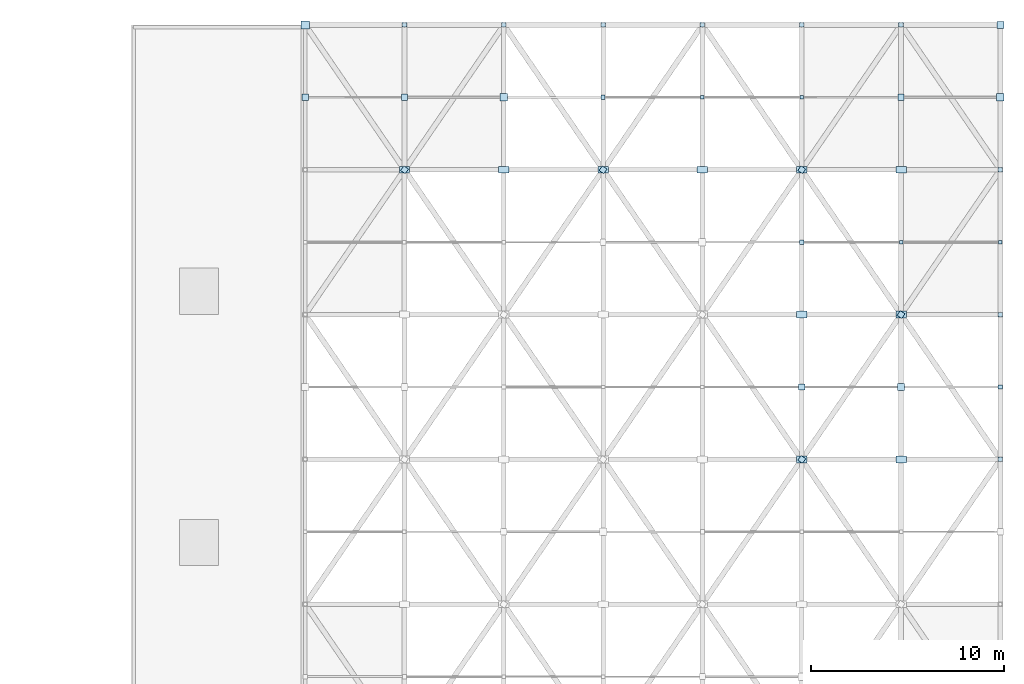
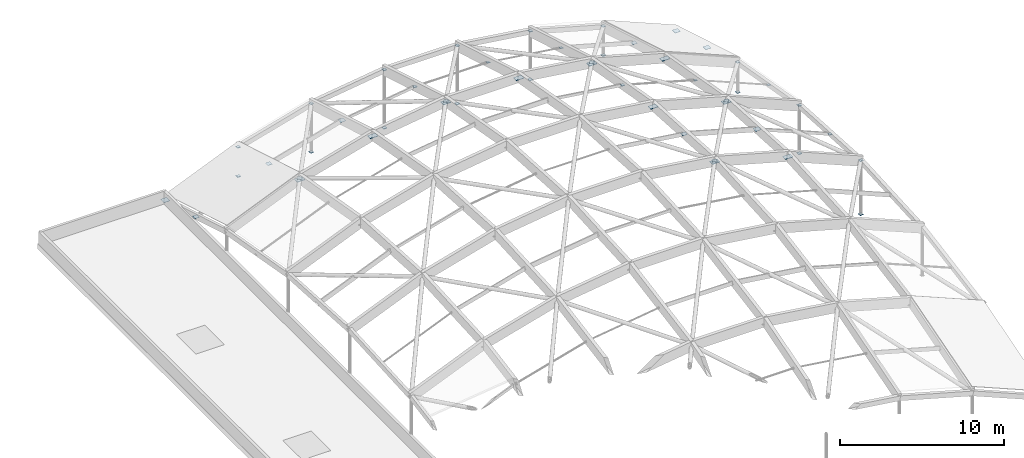
# One storey, part 70 of 81: 49 plates.
"""IFC4 building model written with IfcOpenShell, lengths in metres."""

import ifcopenshell
import ifcopenshell.guid

model = None  # the IFC model being written
_history = None  # IfcOwnerHistory: only IFC2X3 demands one
_inside = {}  # id of a spatial element -> (the spatial element, [elements in it])
_under = {}  # id of a project, library or spatial element -> (it, [spatial elements below it])
_declared = {}  # id of a project -> (the project, [libraries it declares])
_typed = {}  # id of a type object -> (the type object, [elements of that type])
_made_of = {}  # id of a material, layer set ... -> (it, [elements and type objects made of it])


def new_model(schema):
    """Start an empty IFC model of exactly this schema.

    Asked for "IFC4X3", IfcOpenShell would pick the latest addendum, in which some entities
    have other attributes; the version numbers below select the first issue.
    IFC2X3 requires an IfcOwnerHistory on every rooted entity: one is made here for all.
    """
    global model, _history
    if schema == "IFC4X3":
        model = ifcopenshell.file(schema_version=(4, 3, 0, 0))
    else:
        model = ifcopenshell.file(schema=schema)
    _inside.clear()
    _under.clear()
    _declared.clear()
    _typed.clear()
    _made_of.clear()
    _history = None
    if model.schema == "IFC2X3":
        org = make("IfcOrganization", Name="unknown")
        user = make(
            "IfcPersonAndOrganization",
            ThePerson=make("IfcPerson", FamilyName="unknown"),
            TheOrganization=org,
        )
        app = make(
            "IfcApplication",
            ApplicationDeveloper=org,
            Version="unknown",
            ApplicationFullName="unknown",
            ApplicationIdentifier="unknown",
        )
        _history = make(
            "IfcOwnerHistory",
            OwningUser=user,
            OwningApplication=app,
            ChangeAction="ADDED",
            CreationDate=0,
        )
    return model


def make(cls, **values):
    """One entity of the class cls with the attributes given. An attribute that is None is left unset."""
    return model.create_entity(
        cls, **{name: value for name, value in values.items() if value is not None}
    )


def rooted(cls, **values):
    """An entity with a GlobalId (a new one), such as an element, a storey or a relation."""
    return make(cls, GlobalId=ifcopenshell.guid.new(), OwnerHistory=_history, **values)


def si_unit(unit_type, name, prefix=None):
    """IfcSIUnit, for example si_unit("LENGTHUNIT", "METRE", prefix="MILLI")."""
    return make("IfcSIUnit", UnitType=unit_type, Prefix=prefix, Name=name)


def assignment(units):
    """IfcUnitAssignment: the units of a project."""
    return None if units is None else make("IfcUnitAssignment", Units=units)


def point(xyz):
    """IfcCartesianPoint."""
    return None if xyz is None else make("IfcCartesianPoint", Coordinates=xyz)


def direction(xyz):
    """IfcDirection."""
    return None if xyz is None else make("IfcDirection", DirectionRatios=xyz)


def frame(location, z_axis=None, x_axis=None):
    """IfcAxis2Placement3D, a coordinate frame: its origin and axes. An axis left out is left unset."""
    return make(
        "IfcAxis2Placement3D",
        Location=point(location),
        Axis=direction(z_axis),
        RefDirection=direction(x_axis),
    )


def frame_2d(location, x_axis=None):
    """IfcAxis2Placement2D, a coordinate frame in the plane: its origin and x axis."""
    return make(
        "IfcAxis2Placement2D", Location=point(location), RefDirection=direction(x_axis)
    )


def origin():
    """The frame at (0, 0, 0) with its axes left unset."""
    return frame((0.0, 0.0, 0.0))


def origin_2d():
    """The frame at (0, 0) in the plane with its x axis left unset."""
    return frame_2d((0.0, 0.0))


def place(relative_to, where):
    """IfcLocalPlacement: puts the frame where relative to a parent placement (None: the world)."""
    return make(
        "IfcLocalPlacement", PlacementRelTo=relative_to, RelativePlacement=where
    )


def context(
    kind, dimensions, precision=None, world=None, true_north=None, identifier=None
):
    """IfcGeometricRepresentationContext, for example the 3D "Model" context."""
    return make(
        "IfcGeometricRepresentationContext",
        ContextIdentifier=identifier,
        ContextType=kind,
        CoordinateSpaceDimension=dimensions,
        Precision=precision,
        WorldCoordinateSystem=world,
        TrueNorth=true_north,
    )


def subcontext(parent, identifier, kind, view, scale=None):
    """IfcGeometricRepresentationSubContext, for example "Body" below "Model"."""
    return make(
        "IfcGeometricRepresentationSubContext",
        ContextIdentifier=identifier,
        ContextType=kind,
        ParentContext=parent,
        TargetScale=scale,
        TargetView=view,
    )


def project(units=None, contexts=None):
    """IfcProject with its units and contexts."""
    return rooted(
        "IfcProject",
        Name="project",
        RepresentationContexts=contexts,
        UnitsInContext=assignment(units),
    )


def spatial(cls, under=None, at=None, **own):
    """A site, building, storey or space (cls), placed at a placement, below another one or the project."""
    s = rooted(cls, ObjectPlacement=at, **own)
    if under is not None:
        _under.setdefault(under.id(), (under, []))[1].append(s)
    return s


def profile(cls, at=None, kind="AREA", **sizes):
    """A parametric profile (cls). Its sizes go by their IFC names, for example OverallWidth=200.0."""
    return make(cls, ProfileType=kind, Position=at, **sizes)


def rectangle(**sizes):
    """IfcRectangleProfileDef."""
    return profile("IfcRectangleProfileDef", **sizes)


def extrude(swept, where, along, depth):
    """IfcExtrudedAreaSolid: the profile swept, set in the frame where, extruded along a direction by depth."""
    return make(
        "IfcExtrudedAreaSolid",
        SweptArea=swept,
        Position=where,
        ExtrudedDirection=direction(along),
        Depth=depth,
    )


def shape(context_of_items, identifier, shape_type, items):
    """IfcShapeRepresentation: the items that make up one representation, for example the "Body"."""
    return make(
        "IfcShapeRepresentation",
        ContextOfItems=context_of_items,
        RepresentationIdentifier=identifier,
        RepresentationType=shape_type,
        Items=items,
    )


def material(Name=None, Category=None):
    """IfcMaterial."""
    return make("IfcMaterial", Name=Name, Category=Category)


def layer(
    of_material, thickness, ventilated=None, Name=None, Category=None, Priority=None
):
    """IfcMaterialLayer: one layer of a wall or slab, of a material (None: an air gap)."""
    return make(
        "IfcMaterialLayer",
        Material=of_material,
        LayerThickness=thickness,
        IsVentilated=ventilated,
        Name=Name,
        Category=Category,
        Priority=Priority,
    )


def layer_set(layers, Name=None):
    """IfcMaterialLayerSet."""
    return make("IfcMaterialLayerSet", MaterialLayers=layers, LayerSetName=Name)


def made_of(thing, what):
    """Note that an element or type object is made of a material, layer set ...; save() writes the relation."""
    if what is not None:
        _made_of.setdefault(what.id(), (what, []))[1].append(thing)
    return thing


def type_object(cls, material=None, **own):
    """A type object (cls), such as IfcWallType, which elements share."""
    return made_of(rooted(cls, **own), material)


def element(
    cls,
    number,
    at=None,
    inside=None,
    cuts=None,
    type_object=None,
    material=None,
    context=None,
    identifier="Body",
    shape_type=None,
    held_by="IfcProductDefinitionShape",
    body=None,
    shapes=None,
    **own,
):
    """One element of the class cls, such as IfcWall. Its Tag is "e" and its number.

    at: its placement. inside: the storey or other place that contains it. cuts: it is an
    opening in that element (IfcRelVoidsElement). A single representation is given by context,
    identifier, shape_type and body (its items); several are given by shapes. held_by: the class
    of the entity that holds the representations. save() writes the other relations.
    """
    e = rooted(cls, Tag="e%d" % number, ObjectPlacement=at, **own)
    if body is not None:
        shapes = [shape(context, identifier, shape_type, body)]
    if shapes is not None:
        e.Representation = make(held_by, Representations=shapes)
    if inside is not None:
        _inside.setdefault(inside.id(), (inside, []))[1].append(e)
    if cuts is not None:
        rooted(
            "IfcRelVoidsElement", RelatingBuildingElement=cuts, RelatedOpeningElement=e
        )
    if type_object is not None:
        _typed.setdefault(type_object.id(), (type_object, []))[1].append(e)
    return made_of(e, material)


def aggregate(whole, parts):
    """IfcRelAggregates: a whole, such as a stair, and the parts it consists of."""
    return rooted("IfcRelAggregates", RelatingObject=whole, RelatedObjects=parts)


def save(model, path):
    """Write the relations noted so far, then the file.

    IfcRelAggregates (storeys below a building ...), IfcRelContainedInSpatialStructure (elements
    in a storey), IfcRelDefinesByType, IfcRelAssociatesMaterial and IfcRelDeclares: one each for
    every whole, place, type object, material and project.
    """
    for whole, parts in _under.values():
        aggregate(whole, parts)
    for where, things in _inside.values():
        rooted(
            "IfcRelContainedInSpatialStructure",
            RelatedElements=things,
            RelatingStructure=where,
        )
    for kind, things in _typed.values():
        rooted("IfcRelDefinesByType", RelatedObjects=things, RelatingType=kind)
    for what, things in _made_of.values():
        rooted("IfcRelAssociatesMaterial", RelatedObjects=things, RelatingMaterial=what)
    for by, libraries in _declared.values():
        rooted("IfcRelDeclares", RelatingContext=by, RelatedDefinitions=libraries)
    model.write(path)


model = new_model("IFC4")

# Units and contexts
model_context = context("Model", 3, precision=1e-05, world=origin(), true_north=direction((0.0, 1.0)))
body_context = subcontext(model_context, "Body", "Model", "MODEL_VIEW")
ifc_project = project(units=[si_unit("LENGTHUNIT", "METRE"), si_unit("AREAUNIT", "SQUARE_METRE"), si_unit("VOLUMEUNIT", "CUBIC_METRE"), si_unit("PLANEANGLEUNIT", "RADIAN"), si_unit("MASSUNIT", "GRAM", prefix="KILO")], contexts=[model_context])

# Site, building, storey
site_placement = place(None, origin())
site = spatial("IfcSite", under=ifc_project, at=site_placement, CompositionType="ELEMENT")
building_placement = place(site_placement, origin())
building = spatial("IfcBuilding", under=site, at=building_placement, Name="Marnridge Secondary College", CompositionType="ELEMENT")
storey_placement = place(building_placement, frame((0.0, 0.0, 8.5)))
storey = spatial("IfcBuildingStorey", under=building, at=storey_placement, Name="L02", CompositionType="ELEMENT", Elevation=8.5)

# Plates
ifc_material_1 = material(Name="Structural steel plate Grade 350 (AS/NZS 3678, fy = 350 MPa <=12mm, 340 MPa 12-20mm, 330 MPa 20-50mm)", Category="steel")
ifc_layer_1 = layer(ifc_material_1, 0.011962890625)
ifc_layer_set_1 = layer_set([ifc_layer_1], Name="PT-CAP-EXT")
plate_type_1 = type_object("IfcPlateType", Name="PT-CAP-EXT", PredefinedType="SHEET", material=ifc_layer_set_1)
for number, where, z_axis, x_axis, name in (
    (1, (140.142822265625, 120.0, 0.0859375), (0.0, 0.0, 1.0), (1.0, 0.0, 0.0), "Tube end cap GSP-0007-EC1"),
    (2, (140.142822265625, 120.0, 2.26708984375), (0.0, 0.0, 1.0), (1.0, 0.0, 0.0), "Tube end cap GSP-0007-EC2"),
    (3, (145.28564453125, 120.0, 0.0859375), (0.0, 0.0, 1.0), (1.0, 0.0, 0.0), "Tube end cap GSP-0009-EC1"),
    (4, (145.28564453125, 120.0, 3.70361328125), (0.0, 0.0, 1.0), (1.0, 0.0, 0.0), "Tube end cap GSP-0009-EC2"),
    (5, (150.4287109375, 120.0, 0.0859375), (0.0, 0.0, 1.0), (1.0, 0.0, 0.0), "Tube end cap GSP-0011-EC1"),
    (6, (150.4287109375, 120.0, 4.42236328125), (0.0, 0.0, 1.0), (1.0, 0.0, 0.0), "Tube end cap GSP-0011-EC2"),
    (7, (155.5712890625, 120.0, 0.0859375), (0.0, 0.0, 1.0), (1.0, 0.0, 0.0), "Tube end cap GSP-0013-EC1"),
    (8, (155.5712890625, 120.0, 4.42236328125), (0.0, 0.0, 1.0), (1.0, 0.0, 0.0), "Tube end cap GSP-0013-EC2"),
    (9, (160.71435546875, 120.0, 0.0859375), (0.0, 0.0, 1.0), (1.0, 0.0, 0.0), "Tube end cap GSP-0015-EC1"),
    (10, (160.71435546875, 120.0, 3.70361328125), (0.0, 0.0, 1.0), (1.0, 0.0, 0.0), "Tube end cap GSP-0015-EC2"),
    (11, (165.857177734375, 120.0, 0.0859375), (0.0, 0.0, 1.0), (1.0, 0.0, 0.0), "Tube end cap GSP-0017-EC1"),
    (12, (165.857177734375, 120.0, 2.26708984375), (0.0, 0.0, 1.0), (1.0, 0.0, 0.0), "Tube end cap GSP-0017-EC2"),
    (13, (171.0, 97.5, 0.0859375), (0.0, 0.0, 1.0), (1.0, 0.0, 0.0), "Tube end cap GSP-0020-EC1"),
    (14, (171.0, 97.5, 4.11181640625), (0.0, 0.0, 1.0), (1.0, 0.0, 0.0), "Tube end cap GSP-0020-EC2"),
    (15, (171.0, 105.0, 0.0859375), (0.0, 0.0, 1.0), (1.0, 0.0, 0.0), "Tube end cap GSP-0021-EC1"),
    (16, (171.0, 105.0, 3.66748046875), (0.0, 0.0, 1.0), (1.0, 0.0, 0.0), "Tube end cap GSP-0021-EC2"),
    (17, (171.0, 112.5, 0.0859375), (0.0, 0.0, 1.0), (1.0, 0.0, 0.0), "Tube end cap GSP-0022-EC1"),
    (18, (171.0, 112.5, 2.333984375), (0.0, 0.0, 1.0), (1.0, 0.0, 0.0), "Tube end cap GSP-0022-EC2"),
):
    element("IfcPlate", number, at=place(storey_placement, frame(where, z_axis=z_axis, x_axis=x_axis)), inside=storey, type_object=plate_type_1, Name=name, PredefinedType="SHEET", context=body_context, shape_type="SweptSolid", body=[
        extrude(rectangle(XDim=0.239013671875, YDim=0.239013671875, at=origin_2d()), origin(), (0.0, 0.0, 1.0), 0.011962890625),
    ])
plate_1_placement = place(storey_placement, frame((135.0, 119.998046875, 0.0947265625), z_axis=(0.0, 0.0, 1.0), x_axis=(0.0, 1.0, 0.0)))
element("IfcPlate", 19, at=plate_1_placement, inside=storey, type_object=plate_type_1, Name="Tube end cap GR-0006-EC2", PredefinedType="SHEET", context=body_context, shape_type="SweptSolid", body=[
    extrude(rectangle(XDim=0.419921875, YDim=0.419921875, at=origin_2d()), origin(), (0.0, 0.0, 1.0), 0.011962890625),
])
plate_2_placement = place(storey_placement, frame((171.0, 119.998046875, 0.0947265625), z_axis=(0.0, 0.0, 1.0), x_axis=(0.0, 1.0, 0.0)))
element("IfcPlate", 20, at=plate_2_placement, inside=storey, type_object=plate_type_1, Name="Tube end cap GR-0048-EC2", PredefinedType="SHEET", context=body_context, shape_type="SweptSolid", body=[
    extrude(rectangle(XDim=0.3701171875, YDim=0.3701171875, at=origin_2d()), origin(), (0.0, 0.0, 1.0), 0.011962890625),
])
plate_3_placement = place(storey_placement, frame((140.141845703125, 112.498291015625, 4.47119140625), z_axis=(0.0, 0.0, 1.0), x_axis=(0.565542903589, 0.82471887586, 0.0)))
element("IfcPlate", 21, at=plate_3_placement, inside=storey, type_object=plate_type_1, Name="Tube end cap GR-0102-EC2", PredefinedType="SHEET", context=body_context, shape_type="SweptSolid", body=[
    extrude(rectangle(XDim=0.29296875, YDim=0.29296875, at=origin_2d()), origin(), (0.0, 0.0, 1.0), 0.011962890625),
])
for number, where, z_axis, x_axis, name in (
    (22, (135.001708984375, 116.25, 1.1259765625), (0.0, 0.0, 1.0), (1.0, 0.0, 0.0), "Tube end cap PR-0028-EC1"),
    (23, (140.14111328125, 116.25, 3.279296875), (0.0, 0.0, 1.0), (1.0, 0.0, 0.0), "Tube end cap PR-0028-EC2"),
):
    element("IfcPlate", number, at=place(storey_placement, frame(where, z_axis=z_axis, x_axis=x_axis)), inside=storey, type_object=plate_type_1, Name=name, PredefinedType="SHEET", context=body_context, shape_type="SweptSolid", body=[
        extrude(rectangle(XDim=0.320068359375, YDim=0.320068359375, at=origin_2d()), origin(), (0.0, 0.0, 1.0), 0.011962890625),
    ])
plate_4_placement = place(storey_placement, frame((145.28369140625, 116.25, 4.71630859375), z_axis=(0.0, 0.0, 1.0), x_axis=(1.0, 0.0, 0.0)))
element("IfcPlate", 24, at=plate_4_placement, inside=storey, type_object=plate_type_1, Name="Tube end cap PR-0034-EC2", PredefinedType="SHEET", context=body_context, shape_type="SweptSolid", body=[
    extrude(rectangle(XDim=0.3798828125, YDim=0.3798828125, at=origin_2d()), origin(), (0.0, 0.0, 1.0), 0.011962890625),
])
plate_5_placement = place(storey_placement, frame((150.427490234375, 112.498291015625, 6.62646484375), z_axis=(0.0, 0.0, 1.0), x_axis=(0.565542903589, 0.82471887586, 0.0)))
element("IfcPlate", 25, at=plate_5_placement, inside=storey, type_object=plate_type_1, Name="Tube end cap GR-0114-EC2", PredefinedType="SHEET", context=body_context, shape_type="SweptSolid", body=[
    extrude(rectangle(XDim=0.29296875, YDim=0.29296875, at=origin_2d()), origin(), (0.0, 0.0, 1.0), 0.011962890625),
])
plate_6_placement = place(storey_placement, frame((150.426513671875, 116.25, 5.43505859375), z_axis=(0.0, 0.0, 1.0), x_axis=(1.0, 0.0, 0.0)))
element("IfcPlate", 26, at=plate_6_placement, inside=storey, type_object=plate_type_1, Name="Tube end cap PR-0040-EC2", PredefinedType="SHEET", context=body_context, shape_type="SweptSolid", body=[
    extrude(rectangle(XDim=0.219970703125, YDim=0.219970703125, at=origin_2d()), origin(), (0.0, 0.0, 1.0), 0.011962890625),
])
plate_7_placement = place(storey_placement, frame((155.5693359375, 116.25, 5.435546875), z_axis=(0.0, 0.0, 1.0), x_axis=(1.0, 0.0, 0.0)))
element("IfcPlate", 27, at=plate_7_placement, inside=storey, type_object=plate_type_1, Name="Tube end cap PR-0046-EC2", PredefinedType="SHEET", context=body_context, shape_type="SweptSolid", body=[
    extrude(rectangle(XDim=0.179931640625, YDim=0.179931640625, at=origin_2d()), origin(), (0.0, 0.0, 1.0), 0.011962890625),
])
plate_8_placement = place(storey_placement, frame((160.713134765625, 97.498291015625, 7.68603515625), z_axis=(0.0, 0.0, 1.0), x_axis=(0.565542903589, 0.82471887586, 0.0)))
element("IfcPlate", 28, at=plate_8_placement, inside=storey, type_object=plate_type_1, Name="Tube end cap GR-0124-EC2", PredefinedType="SHEET", context=body_context, shape_type="SweptSolid", body=[
    extrude(rectangle(XDim=0.29296875, YDim=0.29296875, at=origin_2d()), origin(), (0.0, 0.0, 1.0), 0.011962890625),
])
plate_9_placement = place(storey_placement, frame((160.71240234375, 101.25, 7.3837890625), z_axis=(0.0, 0.0, 1.0), x_axis=(1.0, 0.0, 0.0)))
element("IfcPlate", 29, at=plate_9_placement, inside=storey, type_object=plate_type_1, Name="Tube end cap PR-0050-EC2", PredefinedType="SHEET", context=body_context, shape_type="SweptSolid", body=[
    extrude(rectangle(XDim=0.320068359375, YDim=0.320068359375, at=origin_2d()), origin(), (0.0, 0.0, 1.0), 0.011962890625),
])
plate_10_placement = place(storey_placement, frame((160.713134765625, 112.498291015625, 5.90869140625), z_axis=(0.0, 0.0, 1.0), x_axis=(0.565542903589, 0.82471887586, 0.0)))
element("IfcPlate", 30, at=plate_10_placement, inside=storey, type_object=plate_type_1, Name="Tube end cap GR-0126-EC2", PredefinedType="SHEET", context=body_context, shape_type="SweptSolid", body=[
    extrude(rectangle(XDim=0.29296875, YDim=0.29296875, at=origin_2d()), origin(), (0.0, 0.0, 1.0), 0.011962890625),
])
plate_11_placement = place(storey_placement, frame((160.71240234375, 108.75, 6.4951171875), z_axis=(0.0, 0.0, 1.0), x_axis=(1.0, 0.0, 0.0)))
element("IfcPlate", 31, at=plate_11_placement, inside=storey, type_object=plate_type_1, Name="Tube end cap PR-0051-EC2", PredefinedType="SHEET", context=body_context, shape_type="SweptSolid", body=[
    extrude(rectangle(XDim=0.219970703125, YDim=0.219970703125, at=origin_2d()), origin(), (0.0, 0.0, 1.0), 0.011962890625),
])
plate_12_placement = place(storey_placement, frame((160.71240234375, 116.25, 4.71728515625), z_axis=(0.0, 0.0, 1.0), x_axis=(1.0, 0.0, 0.0)))
element("IfcPlate", 32, at=plate_12_placement, inside=storey, type_object=plate_type_1, Name="Tube end cap PR-0052-EC2", PredefinedType="SHEET", context=body_context, shape_type="SweptSolid", body=[
    extrude(rectangle(XDim=0.179931640625, YDim=0.179931640625, at=origin_2d()), origin(), (0.0, 0.0, 1.0), 0.011962890625),
])
plate_13_placement = place(storey_placement, frame((165.85595703125, 104.998291015625, 5.80517578125), z_axis=(0.0, 0.0, 1.0), x_axis=(0.565542903589, 0.82471887586, 0.0)))
element("IfcPlate", 33, at=plate_13_placement, inside=storey, type_object=plate_type_1, Name="Tube end cap GR-0131-EC2", PredefinedType="SHEET", context=body_context, shape_type="SweptSolid", body=[
    extrude(rectangle(XDim=0.29296875, YDim=0.29296875, at=origin_2d()), origin(), (0.0, 0.0, 1.0), 0.011962890625),
])
plate_14_placement = place(storey_placement, frame((165.855224609375, 101.25, 5.947265625), z_axis=(0.0, 0.0, 1.0), x_axis=(1.0, 0.0, 0.0)))
element("IfcPlate", 34, at=plate_14_placement, inside=storey, type_object=plate_type_1, Name="Tube end cap PR-0056-EC2", PredefinedType="SHEET", context=body_context, shape_type="SweptSolid", body=[
    extrude(rectangle(XDim=0.3798828125, YDim=0.3798828125, at=origin_2d()), origin(), (0.0, 0.0, 1.0), 0.011962890625),
])
plate_15_placement = place(storey_placement, frame((165.855224609375, 108.75, 5.05859375), z_axis=(0.0, 0.0, 1.0), x_axis=(1.0, 0.0, 0.0)))
element("IfcPlate", 35, at=plate_15_placement, inside=storey, type_object=plate_type_1, Name="Tube end cap PR-0057-EC2", PredefinedType="SHEET", context=body_context, shape_type="SweptSolid", body=[
    extrude(rectangle(XDim=0.179931640625, YDim=0.179931640625, at=origin_2d()), origin(), (0.0, 0.0, 1.0), 0.011962890625),
])
plate_16_placement = place(storey_placement, frame((165.855224609375, 116.25, 3.28076171875), z_axis=(0.0, 0.0, 1.0), x_axis=(1.0, 0.0, 0.0)))
element("IfcPlate", 36, at=plate_16_placement, inside=storey, type_object=plate_type_1, Name="Tube end cap PR-0058-EC2", PredefinedType="SHEET", context=body_context, shape_type="SweptSolid", body=[
    extrude(rectangle(XDim=0.320068359375, YDim=0.320068359375, at=origin_2d()), origin(), (0.0, 0.0, 1.0), 0.011962890625),
])
plate_17_placement = place(storey_placement, frame((170.998291015625, 101.25, 3.79248046875), z_axis=(0.0, 0.0, 1.0), x_axis=(1.0, 0.0, 0.0)))
element("IfcPlate", 37, at=plate_17_placement, inside=storey, type_object=plate_type_1, Name="Tube end cap PR-0062-EC2", PredefinedType="SHEET", context=body_context, shape_type="SweptSolid", body=[
    extrude(rectangle(XDim=0.219970703125, YDim=0.219970703125, at=origin_2d()), origin(), (0.0, 0.0, 1.0), 0.011962890625),
])
plate_18_placement = place(storey_placement, frame((170.998291015625, 108.75, 2.90380859375), z_axis=(0.0, 0.0, 1.0), x_axis=(1.0, 0.0, 0.0)))
element("IfcPlate", 38, at=plate_18_placement, inside=storey, type_object=plate_type_1, Name="Tube end cap PR-0063-EC2", PredefinedType="SHEET", context=body_context, shape_type="SweptSolid", body=[
    extrude(rectangle(XDim=0.179931640625, YDim=0.179931640625, at=origin_2d()), origin(), (0.0, 0.0, 1.0), 0.011962890625),
])
plate_19_placement = place(storey_placement, frame((170.998291015625, 116.25, 1.1259765625), z_axis=(0.0, 0.0, 1.0), x_axis=(1.0, 0.0, 0.0)))
element("IfcPlate", 39, at=plate_19_placement, inside=storey, type_object=plate_type_1, Name="Tube end cap PR-0064-EC2", PredefinedType="SHEET", context=body_context, shape_type="SweptSolid", body=[
    extrude(rectangle(XDim=0.3798828125, YDim=0.3798828125, at=origin_2d()), origin(), (0.0, 0.0, 1.0), 0.011962890625),
])
ifc_material_2 = material(Name="Structural steel plate Grade 350 (AS/NZS 3678, fy = 350 MPa <=12mm, 340 MPa 12-20mm, 330 MPa 20-50mm)", Category="steel")
ifc_layer_2 = layer(ifc_material_2, 0.048095703125)
ifc_layer_set_2 = layer_set([ifc_layer_2], Name="PT-GUS-GSN1")
plate_type_2 = type_object("IfcPlateType", Name="PT-GUS-GSN1", PredefinedType="USERDEFINED", material=ifc_layer_set_2)
for number, where, z_axis, x_axis, name in (
    (40, (140.142822265625, 112.5, 4.35302734375), (0.0, 0.0, 1.0), (1.0, 0.0, 0.0), "Gridshell node gusset plate GP-005"),
    (41, (150.4287109375, 112.5, 6.50830078125), (0.0, 0.0, 1.0), (1.0, 0.0, 0.0), "Gridshell node gusset plate GP-015"),
    (42, (160.71435546875, 97.5, 7.56787109375), (0.0, 0.0, 1.0), (1.0, 0.0, 0.0), "Gridshell node gusset plate GP-023"),
    (43, (160.71435546875, 112.5, 5.7900390625), (0.0, 0.0, 1.0), (1.0, 0.0, 0.0), "Gridshell node gusset plate GP-025"),
    (44, (165.857177734375, 105.0, 5.6865234375), (0.0, 0.0, 1.0), (1.0, 0.0, 0.0), "Gridshell node gusset plate GP-029"),
):
    element("IfcPlate", number, at=place(storey_placement, frame(where, z_axis=z_axis, x_axis=x_axis)), inside=storey, type_object=plate_type_2, Name=name, ObjectType="GUSSET PLATE", PredefinedType="USERDEFINED", context=body_context, shape_type="SweptSolid", body=[
        extrude(rectangle(XDim=0.5400390625, YDim=0.360107421875, at=origin_2d()), origin(), (0.0, 0.0, 1.0), 0.048095703125),
    ])
ifc_material_3 = material(Name="Structural steel plate Grade 350 (AS/NZS 3678, fy = 350 MPa <=12mm, 340 MPa 12-20mm, 330 MPa 20-50mm)", Category="steel")
ifc_layer_3 = layer(ifc_material_3, 0.035888671875)
ifc_layer_set_3 = layer_set([ifc_layer_3], Name="PT-GUS-GSN1A")
plate_type_3 = type_object("IfcPlateType", Name="PT-GUS-GSN1A", PredefinedType="USERDEFINED", material=ifc_layer_set_3)
for number, where, z_axis, x_axis, name in (
    (45, (145.28564453125, 112.5, 5.79638671875), (0.0, 0.0, 1.0), (1.0, 0.0, 0.0), "Gridshell node gusset plate GP-010"),
    (46, (155.5712890625, 112.5, 6.5146484375), (0.0, 0.0, 1.0), (1.0, 0.0, 0.0), "Gridshell node gusset plate GP-020"),
    (47, (160.71435546875, 105.0, 7.12939453125), (0.0, 0.0, 1.0), (1.0, 0.0, 0.0), "Gridshell node gusset plate GP-024"),
    (48, (165.857177734375, 97.5, 6.13720703125), (0.0, 0.0, 1.0), (1.0, 0.0, 0.0), "Gridshell node gusset plate GP-028"),
    (49, (165.857177734375, 112.5, 4.359375), (0.0, 0.0, 1.0), (1.0, 0.0, 0.0), "Gridshell node gusset plate GP-030"),
):
    element("IfcPlate", number, at=place(storey_placement, frame(where, z_axis=z_axis, x_axis=x_axis)), inside=storey, type_object=plate_type_3, Name=name, ObjectType="GUSSET PLATE", PredefinedType="USERDEFINED", context=body_context, shape_type="SweptSolid", body=[
        extrude(rectangle(XDim=0.5400390625, YDim=0.360107421875, at=origin_2d()), origin(), (0.0, 0.0, 1.0), 0.035888671875),
    ])

save(model, "model.ifc")
